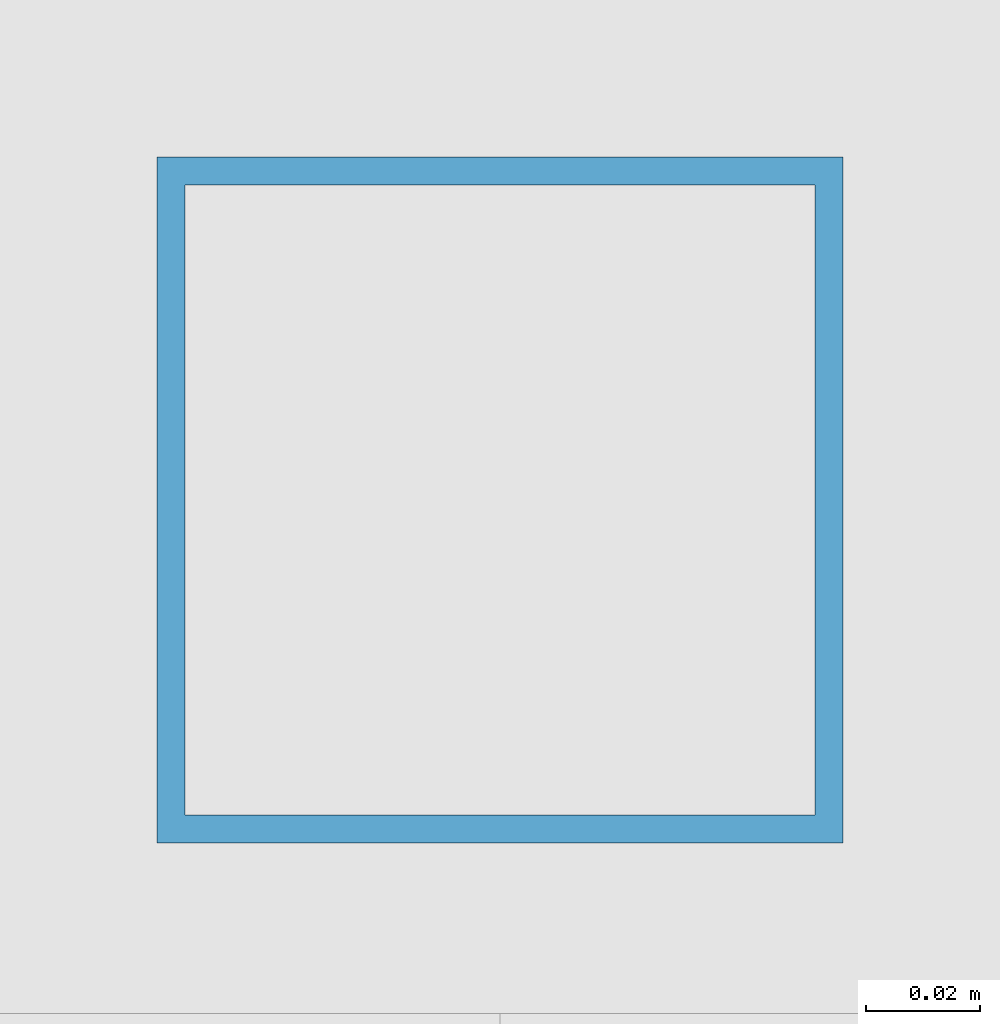
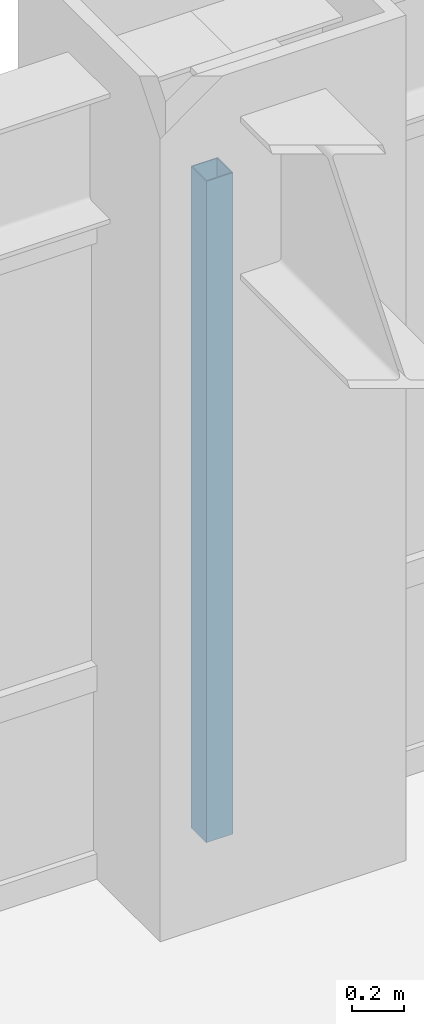
# One storey, part 16 of 28: 1 member, 1 element without a shape of its own.
"""IFC4 building model written with IfcOpenShell, lengths in metres."""

from ifc_helpers import new_model, si_unit, direction, frame, origin, origin_2d, place, context, subcontext, project, spatial, hollow_rectangle, extrude, source, transform, mapped, material, material_profile, profile_set, type_object, element, aggregate, save


model = new_model("IFC4")

# Units and contexts
model_context = context("Model", 3, precision=1e-05, world=origin(), true_north=direction((0.0, 1.0)))
body_context = subcontext(model_context, "Body", "Model", "MODEL_VIEW")
ifc_project = project(units=[si_unit("LENGTHUNIT", "METRE"), si_unit("AREAUNIT", "SQUARE_METRE"), si_unit("VOLUMEUNIT", "CUBIC_METRE"), si_unit("PLANEANGLEUNIT", "RADIAN"), si_unit("MASSUNIT", "GRAM", prefix="KILO")], contexts=[model_context])

# Site, building, storey
site_placement = place(None, origin())
site = spatial("IfcSite", under=ifc_project, at=site_placement, CompositionType="ELEMENT")
building_placement = place(site_placement, origin())
building = spatial("IfcBuilding", under=site, at=building_placement, Name="Khorayat Bourse Tower", CompositionType="ELEMENT")
storey_placement = place(building_placement, frame((0.0, 0.0, 183.10009765625)))
storey = spatial("IfcBuildingStorey", under=building, at=storey_placement, Name="L42", CompositionType="ELEMENT", Elevation=183.10009765625)

# Curtain wall, member
ifc_material = material(Name="Aluminium EN AW-6063 T6", Category="aluminium")
curtain_wall_type = type_object("IfcCurtainWallType", Name="CW-SYS-03", PredefinedType="NOTDEFINED", material=ifc_material)
curtain_wall_placement = place(storey_placement, origin())
curtain_wall = element("IfcCurtainWall", 1, at=curtain_wall_placement, inside=storey, type_object=curtain_wall_type, Name="L42 Curtain Wall CW-L42-N1", PredefinedType="NOTDEFINED")
ifc_material_profile = material_profile(ifc_material, hollow_rectangle(XDim=0.1201171875, YDim=0.1201171875, WallThickness=0.0048828125, at=origin_2d()), Name="ALU 120x120x5")
ifc_profile_set = profile_set([ifc_material_profile], Name="Aluminium EN AW-6063 T6")
member_type = type_object("IfcMemberType", Name="CWM-VERT-120", PredefinedType="MULLION", material=ifc_profile_set)
shared_shape = source(origin(), body_context, "Body", "SweptSolid", [
    extrude(hollow_rectangle(XDim=0.1201171875, YDim=0.1201171875, WallThickness=0.0048828125, at=origin_2d()), origin(), (0.0, 0.0, 1.0), 3.1298828125),
])
member_placement = place(storey_placement, frame((0.0, 30.0, 0.0), z_axis=(0.0, 0.0, 1.0), x_axis=(0.0, 1.0, 0.0)))
member = element("IfcMember", 2, at=member_placement, type_object=member_type, Name="CW-L42-N1 Vertical Mullion 2", PredefinedType="MULLION", context=body_context, shape_type="MappedRepresentation", body=[
    mapped(shared_shape, transform((0.0, 0.0, 0.0), scale=1.0)),
])
aggregate(curtain_wall, [member])

save(model, "model.ifc")
